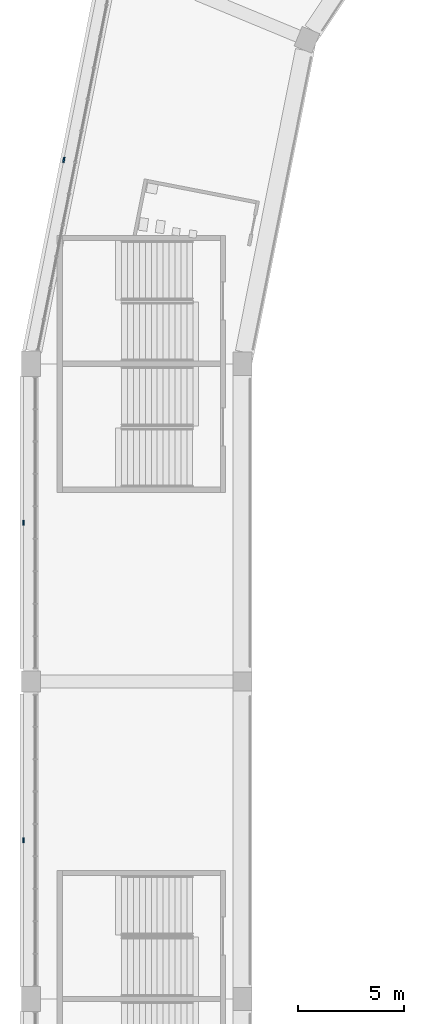
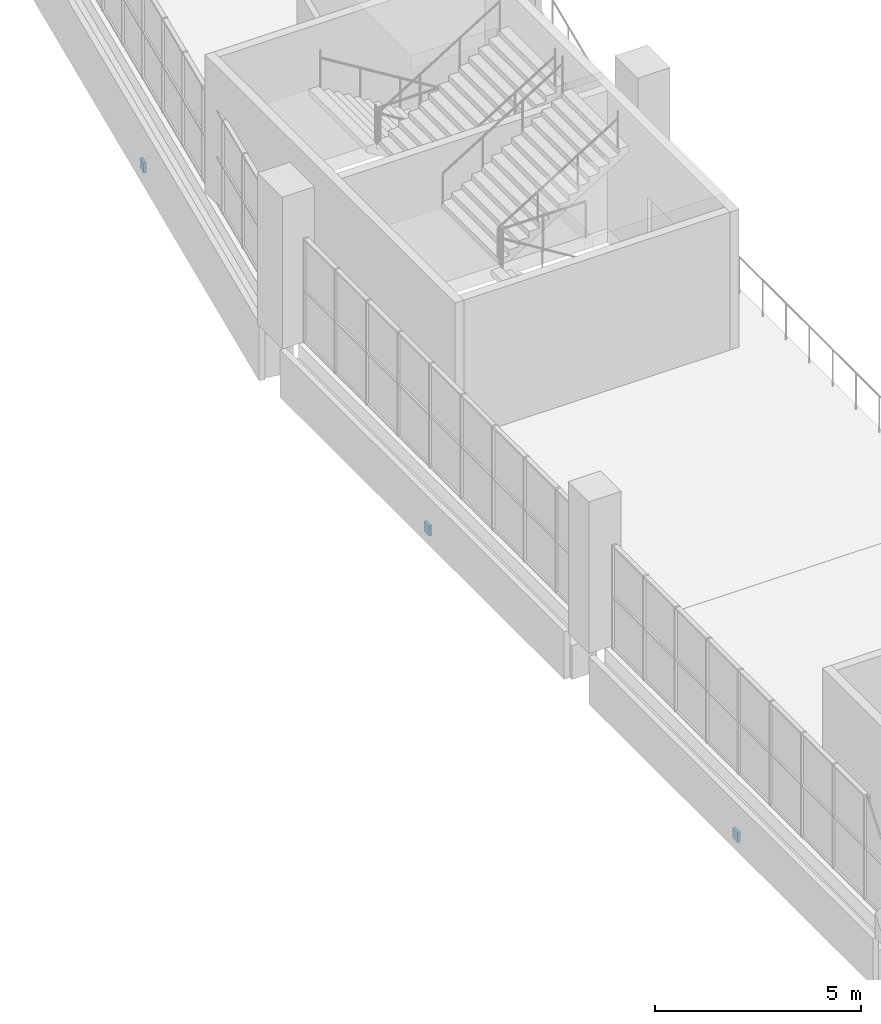
# One storey, part 77 of 177: 3 discrete accessories.
"""IFC4 building model written with IfcOpenShell, lengths in metres."""

from ifc_helpers import new_model, si_unit, direction, frame, origin, origin_2d, place, context, subcontext, project, spatial, rectangle, extrude, material, layer, layer_set, type_object, element, save


model = new_model("IFC4")

# Units and contexts
model_context = context("Model", 3, precision=1e-05, world=origin(), true_north=direction((0.0, 1.0)))
body_context = subcontext(model_context, "Body", "Model", "MODEL_VIEW")
ifc_project = project(units=[si_unit("LENGTHUNIT", "METRE"), si_unit("AREAUNIT", "SQUARE_METRE"), si_unit("VOLUMEUNIT", "CUBIC_METRE"), si_unit("PLANEANGLEUNIT", "RADIAN"), si_unit("MASSUNIT", "GRAM", prefix="KILO")], contexts=[model_context])

# Site, building, storey
site_placement = place(None, origin())
site = spatial("IfcSite", under=ifc_project, at=site_placement, CompositionType="ELEMENT")
building_placement = place(site_placement, origin())
building = spatial("IfcBuilding", under=site, at=building_placement, Name="Ogive Plaza Stadium", CompositionType="ELEMENT")
storey_placement = place(building_placement, frame((0.0, 0.0, 18.0)))
storey = spatial("IfcBuildingStorey", under=building, at=storey_placement, Name="L04", CompositionType="ELEMENT", Elevation=18.0)

# Discrete accessories
ifc_material = material(Name="Steel ASTM A572 Grade 50", Category="steel")
ifc_layer = layer(ifc_material, 0.080078125)
ifc_layer_set = layer_set([ifc_layer], Name="Steel ASTM A572 Grade 50")
discrete_accessory_type = type_object("IfcDiscreteAccessoryType", Name="Spandrel cladding bracket 250x300", PredefinedType="BRACKET", material=ifc_layer_set)
for number, where, z_axis, x_axis, name in (
    (1, (-84.35009765625, 30.0, -1.31005859375), (0.0, 0.0, 1.0), (0.0, 1.0, 0.0), "SPANDREL BRACKET B26 L04"),
    (2, (-84.35009765625, 45.0, -1.31005859375), (0.0, 0.0, 1.0), (0.0, 1.0, 0.0), "SPANDREL BRACKET B27 L04"),
    (3, (-82.440185546875, 62.135498046875, -1.60986328125), (0.0, 0.0, 1.0), (0.195090322016, 0.980785280403, 0.0), "SPANDREL BRACKET B28 L04"),
):
    element("IfcDiscreteAccessory", number, at=place(storey_placement, frame(where, z_axis=z_axis, x_axis=x_axis)), inside=storey, type_object=discrete_accessory_type, Name=name, PredefinedType="BRACKET", context=body_context, shape_type="SweptSolid", body=[
        extrude(rectangle(XDim=0.25, YDim=0.080078125, at=origin_2d()), origin(), (0.0, 0.0, 1.0), 0.300048828125),
    ])

save(model, "model.ifc")
